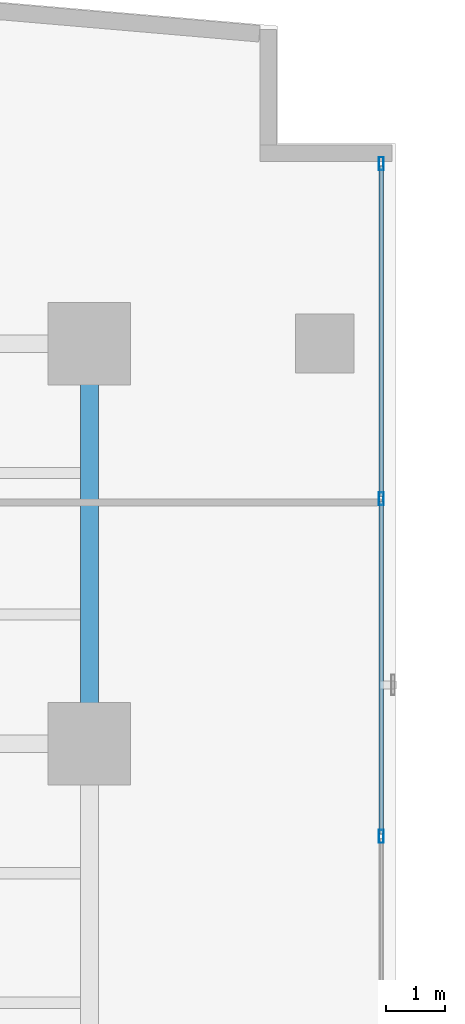
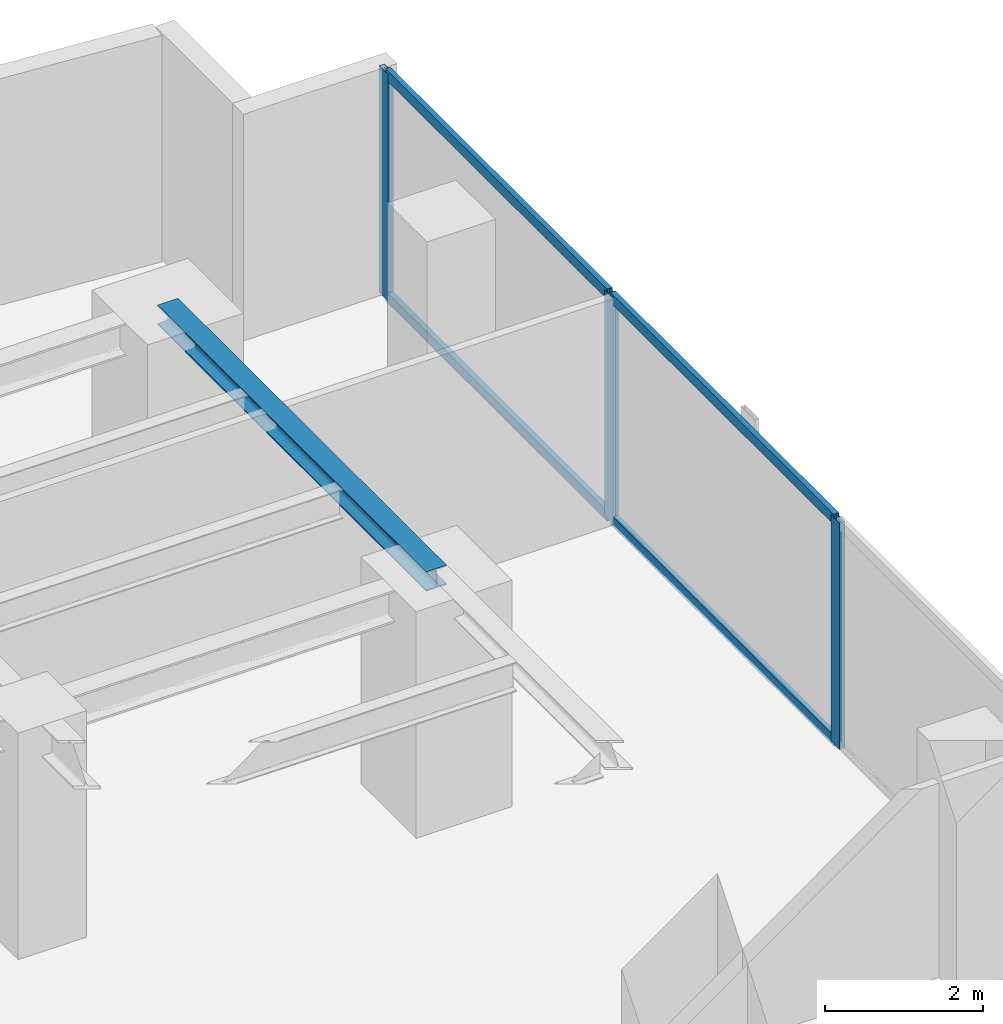
# One storey, part 17 of 25: 7 members, 1 beam, 1 element without a shape of its own.
"""IFC4 building model written with IfcOpenShell, lengths in metres."""

from ifc_helpers import new_model, si_unit, direction, frame, origin, origin_with_axes, origin_2d, place, context, subcontext, project, spatial, hollow_rectangle, i_section, extrude, source, transform, mapped, material, layer, layer_set, material_profile, profile_set, type_object, element, aggregate, save


model = new_model("IFC4")

# Units and contexts
model_context = context("Model", 3, precision=1e-05, world=origin(), true_north=direction((0.0, 1.0)))
body_context = subcontext(model_context, "Body", "Model", "MODEL_VIEW")
ifc_project = project(units=[si_unit("LENGTHUNIT", "METRE"), si_unit("AREAUNIT", "SQUARE_METRE"), si_unit("VOLUMEUNIT", "CUBIC_METRE"), si_unit("PLANEANGLEUNIT", "RADIAN"), si_unit("MASSUNIT", "GRAM", prefix="KILO")], contexts=[model_context])

# Site, building, storey
site_placement = place(None, origin())
site = spatial("IfcSite", under=ifc_project, at=site_placement, CompositionType="ELEMENT")
building_placement = place(site_placement, origin())
building = spatial("IfcBuilding", under=site, at=building_placement, Name="Kolvaren Waterfront Exchange", CompositionType="ELEMENT")
storey_placement = place(building_placement, frame((0.0, 0.0, 106.89990234375)))
storey = spatial("IfcBuildingStorey", under=building, at=storey_placement, Name="L27", CompositionType="ELEMENT", Elevation=106.89990234375)

# Beam
ifc_material_1 = material(Name="Steel S355", Category="steel")
ifc_material_profile_1 = material_profile(ifc_material_1, i_section(OverallWidth=0.300048828125, OverallDepth=0.300048828125, WebThickness=0.010986328125, FlangeThickness=0.01904296875, FilletRadius=0.027099609375, at=origin_2d()), Name="HEB300")
ifc_profile_set_1 = profile_set([ifc_material_profile_1], Name="Steel S355")
beam_type = type_object("IfcBeamType", Name="STR-BM-HEB300", PredefinedType="SPANDREL", material=ifc_profile_set_1)
beam_placement = place(storey_placement, frame((18.800048828125, 37.800048828125, 3.35009765625), z_axis=(0.0, 1.0, 0.0), x_axis=(-1.0, 0.0, 0.0)))
element("IfcBeam", 1, at=beam_placement, inside=storey, type_object=beam_type, Name="L27 north-arm edge beam 3", PredefinedType="SPANDREL", context=body_context, shape_type="SweptSolid", body=[
    extrude(i_section(OverallWidth=0.300048828125, OverallDepth=0.300048828125, WebThickness=0.010986328125, FlangeThickness=0.01904296875, FilletRadius=0.027099609375, at=origin_2d()), origin(), (0.0, 0.0, 1.0), 6.800048828125),
])

# Curtain wall, members
ifc_material_2 = material(Name="Anodised bronze aluminium 6063-T6", Category="aluminium")
ifc_layer = layer(ifc_material_2, 0.219970703125, Name="Anodised bronze aluminium 6063-T6")
ifc_layer_set = layer_set([ifc_layer], Name="Anodised bronze aluminium 6063-T6")
curtain_wall_type = type_object("IfcCurtainWallType", Name="ARC-CW-SYS1", PredefinedType="USERDEFINED", material=ifc_layer_set)
curtain_wall_placement = place(storey_placement, origin())
curtain_wall = element("IfcCurtainWall", 2, at=curtain_wall_placement, inside=storey, type_object=curtain_wall_type, Name="L27 stick curtain wall CW1 (CW-L27-NE)", ObjectType="STICK CURTAIN WALL", PredefinedType="USERDEFINED")
ifc_material_3 = material(Name="Anodised aluminium 6063-T6", Category="aluminium")
ifc_material_profile_2 = material_profile(ifc_material_3, hollow_rectangle(XDim=0.074951171875, YDim=0.159912109375, WallThickness=0.00439453125, at=origin_2d()), Name="ALU-TRN-160x75x4.5")
ifc_profile_set_2 = profile_set([ifc_material_profile_2], Name="Anodised aluminium 6063-T6")
member_type_1 = type_object("IfcMemberType", Name="ARC-CWT-160", PredefinedType="USERDEFINED", material=ifc_profile_set_2)
shared_shape_1 = source(origin_with_axes(), body_context, "Body", "SweptSolid", [
    extrude(hollow_rectangle(XDim=0.074951171875, YDim=0.159912109375, WallThickness=0.00439453125, at=origin_2d()), origin(), (0.0, 0.0, 1.0), 5.61669921875),
])
member_1_placement = place(storey_placement, frame((23.760009765625, 42.00341796875, 0.03759765625), z_axis=(0.0, 1.0, 0.0), x_axis=(-1.0, 0.0, 0.0)))
member_1 = element("IfcMember", 3, at=member_1_placement, type_object=member_type_1, Name="CW1 transom 3.1", ObjectType="TRANSOM", PredefinedType="USERDEFINED", context=body_context, shape_type="MappedRepresentation", body=[
    mapped(shared_shape_1, transform((0.0, 0.0, 0.0), x_axis=(1.0, 0.0, 0.0), y_axis=(0.0, 1.0, 0.0), z_axis=(0.0, 0.0, 1.0), scale=1.0)),
])
member_2_placement = place(storey_placement, frame((23.760009765625, 42.00341796875, 3.462646484375), z_axis=(0.0, 1.0, 0.0), x_axis=(-1.0, 0.0, 0.0)))
member_2 = element("IfcMember", 4, at=member_2_placement, type_object=member_type_1, Name="CW1 transom 3.2", ObjectType="TRANSOM", PredefinedType="USERDEFINED", context=body_context, shape_type="MappedRepresentation", body=[
    mapped(shared_shape_1, transform((0.0, 0.0, 0.0), x_axis=(1.0, 0.0, 0.0), y_axis=(0.0, 1.0, 0.0), z_axis=(0.0, 0.0, 1.0), scale=1.0)),
])
shared_shape_2 = source(origin_with_axes(), body_context, "Body", "SweptSolid", [
    extrude(hollow_rectangle(XDim=0.074951171875, YDim=0.159912109375, WallThickness=0.00439453125, at=origin_2d()), origin(), (0.0, 0.0, 1.0), 5.65673828125),
])
member_3_placement = place(storey_placement, frame((23.760009765625, 36.2666015625, 0.03759765625), z_axis=(0.0, 1.0, 0.0), x_axis=(-1.0, 0.0, 0.0)))
member_3 = element("IfcMember", 5, at=member_3_placement, type_object=member_type_1, Name="CW1 transom 2.1", ObjectType="TRANSOM", PredefinedType="USERDEFINED", context=body_context, shape_type="MappedRepresentation", body=[
    mapped(shared_shape_2, transform((0.0, 0.0, 0.0), x_axis=(1.0, 0.0, 0.0), y_axis=(0.0, 1.0, 0.0), z_axis=(0.0, 0.0, 1.0), scale=1.0)),
])
member_4_placement = place(storey_placement, frame((23.760009765625, 36.2666015625, 3.462646484375), z_axis=(0.0, 1.0, 0.0), x_axis=(-1.0, 0.0, 0.0)))
member_4 = element("IfcMember", 6, at=member_4_placement, type_object=member_type_1, Name="CW1 transom 2.2", ObjectType="TRANSOM", PredefinedType="USERDEFINED", context=body_context, shape_type="MappedRepresentation", body=[
    mapped(shared_shape_2, transform((0.0, 0.0, 0.0), x_axis=(1.0, 0.0, 0.0), y_axis=(0.0, 1.0, 0.0), z_axis=(0.0, 0.0, 1.0), scale=1.0)),
])
ifc_material_profile_3 = material_profile(ifc_material_3, hollow_rectangle(XDim=0.080078125, YDim=0.219970703125, WallThickness=0.0048828125, at=origin_2d()), Name="ALU-MUL-220x80x5")
ifc_profile_set_3 = profile_set([ifc_material_profile_3], Name="Anodised aluminium 6063-T6")
member_type_2 = type_object("IfcMemberType", Name="ARC-CWM-220", PredefinedType="MULLION", material=ifc_profile_set_3)
shared_shape_3 = source(origin_with_axes(), body_context, "Body", "SweptSolid", [
    extrude(hollow_rectangle(XDim=0.080078125, YDim=0.219970703125, WallThickness=0.0048828125, at=origin_2d()), origin(), (0.0, 0.0, 1.0), 3.5),
])
member_5_placement = place(storey_placement, frame((23.760009765625, 36.2265625, 0.0), z_axis=(0.0, 0.0, 1.0), x_axis=(-1.0, 0.0, 0.0)))
member_5 = element("IfcMember", 7, at=member_5_placement, type_object=member_type_2, Name="CW1 mullion 2", PredefinedType="MULLION", context=body_context, shape_type="MappedRepresentation", body=[
    mapped(shared_shape_3, transform((0.0, 0.0, 0.0), x_axis=(1.0, 0.0, 0.0), y_axis=(0.0, 1.0, 0.0), z_axis=(0.0, 0.0, 1.0), scale=1.0)),
])
member_6_placement = place(storey_placement, frame((23.760009765625, 41.96337890625, 0.0), z_axis=(0.0, 0.0, 1.0), x_axis=(-1.0, 0.0, 0.0)))
member_6 = element("IfcMember", 8, at=member_6_placement, type_object=member_type_2, Name="CW1 mullion 3", PredefinedType="MULLION", context=body_context, shape_type="MappedRepresentation", body=[
    mapped(shared_shape_3, transform((0.0, 0.0, 0.0), x_axis=(1.0, 0.0, 0.0), y_axis=(0.0, 1.0, 0.0), z_axis=(0.0, 0.0, 1.0), scale=1.0)),
])
member_7_placement = place(storey_placement, frame((23.760009765625, 47.659912109375, 0.0), z_axis=(0.0, 0.0, 1.0), x_axis=(-1.0, 0.0, 0.0)))
member_7 = element("IfcMember", 9, at=member_7_placement, type_object=member_type_2, Name="CW1 mullion 4", PredefinedType="MULLION", context=body_context, shape_type="MappedRepresentation", body=[
    mapped(shared_shape_3, transform((0.0, 0.0, 0.0), x_axis=(1.0, 0.0, 0.0), y_axis=(0.0, 1.0, 0.0), z_axis=(0.0, 0.0, 1.0), scale=1.0)),
])
aggregate(curtain_wall, [member_5, member_6, member_7, member_3, member_4, member_1, member_2])

save(model, "model.ifc")
